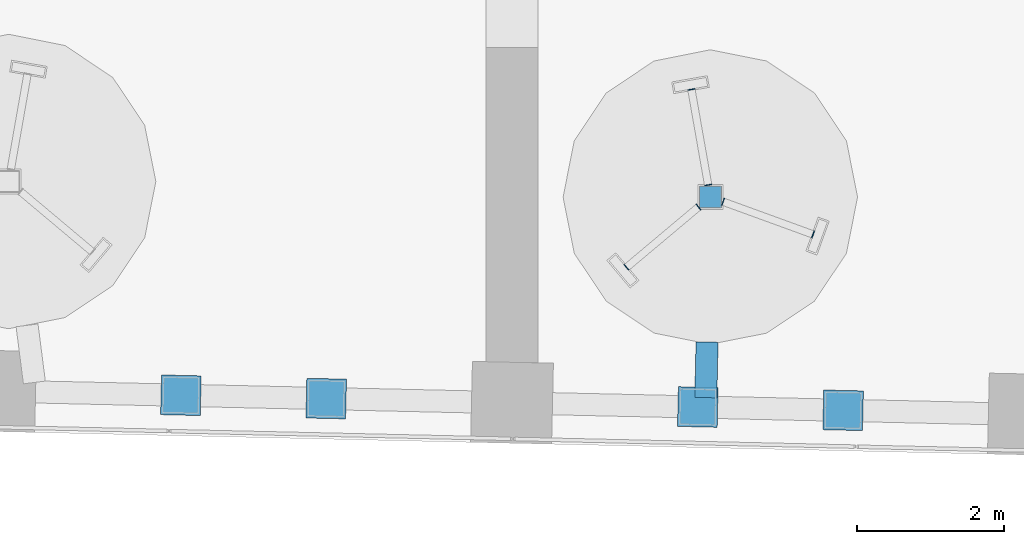
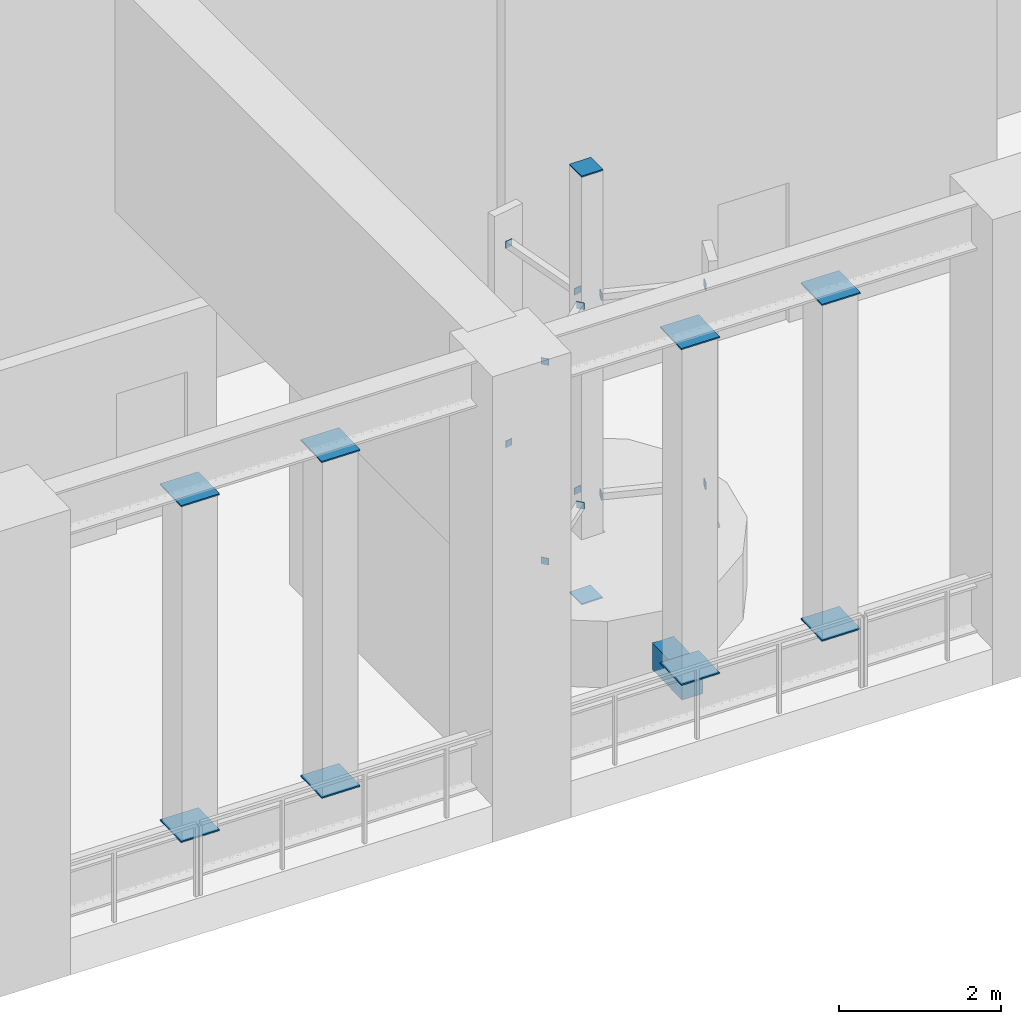
# One storey, part 14 of 33: 23 discrete accessories.
"""IFC4 building model written with IfcOpenShell, lengths in metres."""

from ifc_helpers import new_model, si_unit, direction, frame, origin, origin_2d, place, context, subcontext, project, spatial, rectangle, extrude, material, layer, layer_set, type_object, element, save


model = new_model("IFC4")

# Units and contexts
model_context = context("Model", 3, precision=1e-05, world=origin(), true_north=direction((0.0, 1.0)))
body_context = subcontext(model_context, "Body", "Model", "MODEL_VIEW")
ifc_project = project(units=[si_unit("LENGTHUNIT", "METRE"), si_unit("AREAUNIT", "SQUARE_METRE"), si_unit("VOLUMEUNIT", "CUBIC_METRE"), si_unit("PLANEANGLEUNIT", "RADIAN"), si_unit("MASSUNIT", "GRAM", prefix="KILO")], contexts=[model_context])

# Site, building, storey
site_placement = place(None, origin())
site = spatial("IfcSite", under=ifc_project, at=site_placement, CompositionType="ELEMENT")
building_placement = place(site_placement, origin())
building = spatial("IfcBuilding", under=site, at=building_placement, Name="Mangrove Gate Tower", CompositionType="ELEMENT")
storey_placement = place(building_placement, frame((0.0, 0.0, 219.5)))
storey = spatial("IfcBuildingStorey", under=building, at=storey_placement, Name="L56", CompositionType="ELEMENT", Elevation=219.5)

# Discrete accessories
ifc_material_1 = material(Name="Steel S355J2H", Category="steel")
ifc_layer_1 = layer(ifc_material_1, 0.010009765625)
ifc_layer_set_1 = layer_set([ifc_layer_1], Name="Arm end plate 100x100x10")
discrete_accessory_type_1 = type_object("IfcDiscreteAccessoryType", Name="Arm end plate 100x100x10", PredefinedType="ANCHORPLATE", material=ifc_layer_set_1)
for number, where, z_axis, x_axis, name in (
    (1, (-6.867919921875, -17.76708984375, 1.449951171875), (0.0, 0.0, 1.0), (-0.173648177667, 0.984807753012, 0.0), "END PLATE ARM L56 6.1.1 MAST"),
    (2, (-7.096923828125, -16.468994140625, 1.449951171875), (0.0, 0.0, 1.0), (-0.173648177667, 0.984807753012, 0.0), "END PLATE ARM L56 6.1.1 FIN"),
    (3, (-6.867919921875, -17.76708984375, 4.449951171875), (0.0, 0.0, 1.0), (-0.173648177667, 0.984807753012, 0.0), "END PLATE ARM L56 6.1.2 MAST"),
    (4, (-7.096923828125, -16.468994140625, 4.449951171875), (0.0, 0.0, 1.0), (-0.173648177667, 0.984807753012, 0.0), "END PLATE ARM L56 6.1.2 FIN"),
    (5, (-7.0, -18.06591796875, 1.449951171875), (0.0, 0.0, 1.0), (-0.766044443119, -0.642787609687, 0.0), "END PLATE ARM L56 6.2.1 MAST"),
    (6, (-7.97705078125, -18.885986328125, 1.449951171875), (0.0, 0.0, 1.0), (-0.766044443119, -0.642787609687, 0.0), "END PLATE ARM L56 6.2.1 FIN"),
    (7, (-7.0, -18.06591796875, 4.449951171875), (0.0, 0.0, 1.0), (-0.766044443119, -0.642787609687, 0.0), "END PLATE ARM L56 6.2.2 MAST"),
    (8, (-7.97705078125, -18.885986328125, 4.449951171875), (0.0, 0.0, 1.0), (-0.766044443119, -0.642787609687, 0.0), "END PLATE ARM L56 6.2.2 FIN"),
    (9, (-6.666015625, -17.993896484375, 1.449951171875), (0.0, 0.0, 1.0), (0.939692620786, -0.342020143326, 0.0), "END PLATE ARM L56 6.3.1 MAST"),
    (10, (-5.444091796875, -18.43896484375, 1.449951171875), (0.0, 0.0, 1.0), (0.939692620786, -0.342020143326, 0.0), "END PLATE ARM L56 6.3.1 FIN"),
    (11, (-6.666015625, -17.993896484375, 4.449951171875), (0.0, 0.0, 1.0), (0.939692620786, -0.342020143326, 0.0), "END PLATE ARM L56 6.3.2 MAST"),
    (12, (-5.444091796875, -18.43896484375, 4.449951171875), (0.0, 0.0, 1.0), (0.939692620786, -0.342020143326, 0.0), "END PLATE ARM L56 6.3.2 FIN"),
):
    element("IfcDiscreteAccessory", number, at=place(storey_placement, frame(where, z_axis=z_axis, x_axis=x_axis)), inside=storey, type_object=discrete_accessory_type_1, Name=name, PredefinedType="ANCHORPLATE", context=body_context, shape_type="SweptSolid", body=[
        extrude(rectangle(XDim=0.010009765625, YDim=0.10009765625, at=origin_2d()), origin(), (0.0, 0.0, 1.0), 0.10009765625),
    ])
ifc_material_2 = material(Name="Steel S355J2H", Category="steel")
ifc_layer_2 = layer(ifc_material_2, 0.02001953125)
ifc_layer_set_2 = layer_set([ifc_layer_2], Name="Belt truss end plate 540x540x20")
discrete_accessory_type_2 = type_object("IfcDiscreteAccessoryType", Name="Belt truss end plate 540x540x20", PredefinedType="ANCHORPLATE", material=ifc_layer_set_2)
for number, where, z_axis, x_axis, name in (
    (13, (-14.031494140625, -20.62353515625, 0.68994140625), (0.0, 0.0, 1.0), (0.999740510785, -0.02277962018, 0.0), "Belt truss end plate L56 05-1 bottom"),
    (14, (-14.031494140625, -20.62353515625, 5.739990234375), (0.0, 0.0, 1.0), (0.999740510785, -0.02277962018, 0.0), "Belt truss end plate L56 05-1 top"),
    (15, (-12.057373046875, -20.668701171875, 0.68994140625), (0.0, 0.0, 1.0), (0.999740510785, -0.02277962018, 0.0), "Belt truss end plate L56 05-2 bottom"),
    (16, (-12.057373046875, -20.668701171875, 5.739990234375), (0.0, 0.0, 1.0), (0.999740510785, -0.02277962018, 0.0), "Belt truss end plate L56 05-2 top"),
    (17, (-7.009521484375, -20.783203125, 0.68994140625), (0.0, 0.0, 1.0), (0.999743743313, -0.022637307834, 0.0), "Belt truss end plate L56 06-1 bottom"),
    (18, (-7.009521484375, -20.783203125, 5.739990234375), (0.0, 0.0, 1.0), (0.999743743313, -0.022637307834, 0.0), "Belt truss end plate L56 06-1 top"),
    (19, (-5.035400390625, -20.827880859375, 0.68994140625), (0.0, 0.0, 1.0), (0.999743743313, -0.022637307834, 0.0), "Belt truss end plate L56 06-2 bottom"),
    (20, (-5.035400390625, -20.827880859375, 5.739990234375), (0.0, 0.0, 1.0), (0.999743743313, -0.022637307834, 0.0), "Belt truss end plate L56 06-2 top"),
):
    element("IfcDiscreteAccessory", number, at=place(storey_placement, frame(where, z_axis=z_axis, x_axis=x_axis)), inside=storey, type_object=discrete_accessory_type_2, Name=name, PredefinedType="ANCHORPLATE", context=body_context, shape_type="SweptSolid", body=[
        extrude(rectangle(XDim=0.5400390625, YDim=0.5400390625, at=origin_2d()), origin(), (0.0, 0.0, 1.0), 0.02001953125),
    ])
ifc_material_3 = material(Name="Steel S355J2H", Category="steel")
ifc_layer_3 = layer(ifc_material_3, 0.02001953125)
ifc_layer_set_3 = layer_set([ifc_layer_3], Name="Mast end plate 300x300x20")
discrete_accessory_type_3 = type_object("IfcDiscreteAccessoryType", Name="Mast end plate 300x300x20", PredefinedType="ANCHORPLATE", material=ifc_layer_set_3)
for number, where, z_axis, x_axis, name in (
    (21, (-6.839111328125, -17.930908203125, 0.0), (0.0, 0.0, 1.0), (1.0, 0.0, 0.0), "END PLATE MAST L56 6 FOOT"),
    (22, (-6.839111328125, -17.930908203125, 6.429931640625), (0.0, 0.0, 1.0), (1.0, 0.0, 0.0), "END PLATE MAST L56 6 HEAD"),
):
    element("IfcDiscreteAccessory", number, at=place(storey_placement, frame(where, z_axis=z_axis, x_axis=x_axis)), inside=storey, type_object=discrete_accessory_type_3, Name=name, PredefinedType="ANCHORPLATE", context=body_context, shape_type="SweptSolid", body=[
        extrude(rectangle(XDim=0.300048828125, YDim=0.300048828125, at=origin_2d()), origin(), (0.0, 0.0, 1.0), 0.02001953125),
    ])
ifc_material_4 = material(Name="Steel S355J2", Category="steel")
ifc_layer_4 = layer(ifc_material_4, 0.39990234375)
ifc_layer_set_4 = layer_set([ifc_layer_4], Name="Turbine bracket")
discrete_accessory_type_4 = type_object("IfcDiscreteAccessoryType", Name="Turbine bracket", PredefinedType="BRACKET", material=ifc_layer_set_4)
discrete_accessory_placement = place(storey_placement, frame((-6.89208984375, -20.278076171875, 0.150146484375), z_axis=(0.0, 0.0, 1.0), x_axis=(0.022637150795, 0.999743746869, 0.0)))
element("IfcDiscreteAccessory", 23, at=discrete_accessory_placement, inside=storey, type_object=discrete_accessory_type_4, Name="Turbine bracket GEN-L56-S6", PredefinedType="BRACKET", context=body_context, shape_type="SweptSolid", body=[
    extrude(rectangle(XDim=0.75537109375, YDim=0.300048828125, at=origin_2d()), origin(), (0.0, 0.0, 1.0), 0.39990234375),
])

save(model, "model.ifc")
